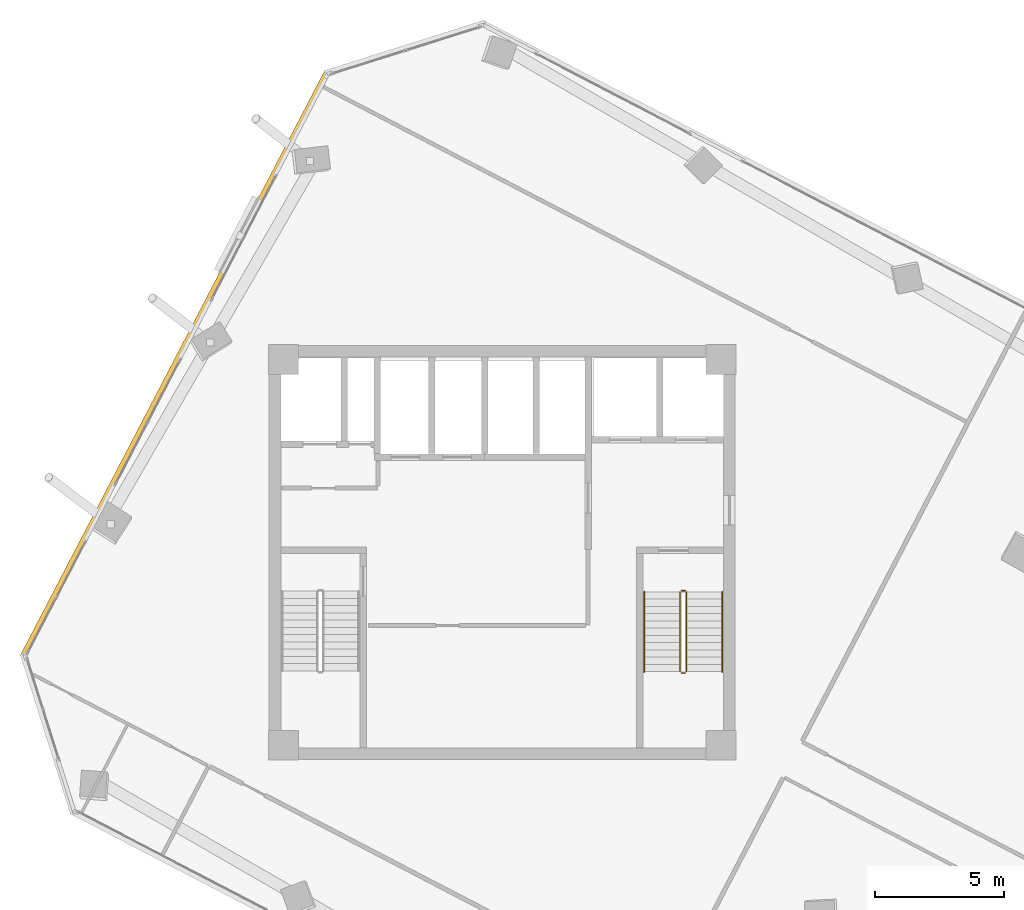
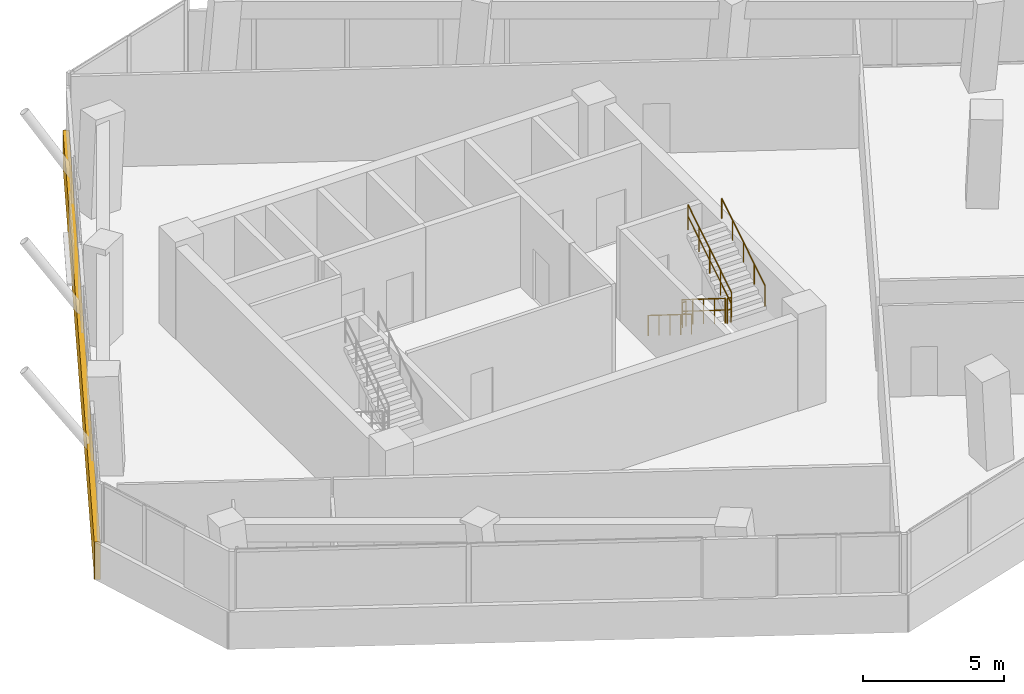
# One storey, part 20 of 22: 6 railings, 1 covering.
"""IFC4 building model written with IfcOpenShell, lengths in metres."""

from ifc_helpers import new_model, si_unit, direction, frame, origin, origin_2d, place, context, subcontext, project, spatial, rectangle, circle, extrude, source, transform, mapped, material, layer, layer_set, type_object, element, save


model = new_model("IFC4")

# Units and contexts
model_context = context("Model", 3, precision=1e-05, world=origin(), true_north=direction((0.0, 1.0)))
body_context = subcontext(model_context, "Body", "Model", "MODEL_VIEW")
ifc_project = project(units=[si_unit("LENGTHUNIT", "METRE"), si_unit("AREAUNIT", "SQUARE_METRE"), si_unit("VOLUMEUNIT", "CUBIC_METRE"), si_unit("PLANEANGLEUNIT", "RADIAN"), si_unit("MASSUNIT", "GRAM", prefix="KILO")], contexts=[model_context])

# Site, building, storey
site_placement = place(None, origin())
site = spatial("IfcSite", under=ifc_project, at=site_placement, CompositionType="ELEMENT")
building_placement = place(site_placement, origin())
building = spatial("IfcBuilding", under=site, at=building_placement, Name="Torre Montelarca", CompositionType="ELEMENT")
storey_placement = place(building_placement, frame((0.0, 0.0, 175.0)))
storey = spatial("IfcBuildingStorey", under=building, at=storey_placement, Name="L39", CompositionType="ELEMENT", Elevation=175.0)

# Railings
ifc_material_1 = material(Name="Powder-coated steel ASTM A500 Grade C", Category="steel")
railing_type_1 = type_object("IfcRailingType", Name="RL-GUARD-1100", PredefinedType="BALUSTRADE", material=ifc_material_1)
railing_1_placement = place(storey_placement, frame((24.8701171875, 30.469970703125, 0.175048828125)))
element("IfcRailing", 1, at=railing_1_placement, inside=storey, type_object=railing_type_1, Name="L39 ST2 stair guard 1", PredefinedType="BALUSTRADE", context=body_context, shape_type="SweptSolid", body=[
    extrude(circle(Radius=0.02392578125, at=origin_2d()), frame((0.0, 0.0, 1.076171875), z_axis=(0.0, -0.847998304005, 0.529998940003), x_axis=(1.0, 0.0, 0.0)), (0.0, 0.0, 1.0), 3.632080078125),
    extrude(circle(Radius=0.02099609375, at=origin_2d()), frame((0.0, 0.0, 0.572021484375), z_axis=(0.0, -0.847998304005, 0.529998940003), x_axis=(1.0, 0.0, 0.0)), (0.0, 0.0, 1.0), 3.632080078125),
    extrude(circle(Radius=0.02099609375, at=origin_2d()), origin(), (0.0, 0.0, 1.0), 1.052001953125),
    extrude(circle(Radius=0.02099609375, at=origin_2d()), frame((0.0, -0.77001953125, 0.481201171875)), (0.0, 0.0, 1.0), 1.052001953125),
    extrude(circle(Radius=0.02099609375, at=origin_2d()), frame((0.0, -1.5400390625, 0.96240234375)), (0.0, 0.0, 1.0), 1.052001953125),
    extrude(circle(Radius=0.02099609375, at=origin_2d()), frame((0.0, -2.31005859375, 1.44384765625)), (0.0, 0.0, 1.0), 1.052001953125),
    extrude(circle(Radius=0.02099609375, at=origin_2d()), frame((0.0, -3.080078125, 1.925048828125)), (0.0, 0.0, 1.0), 1.052001953125),
])
railing_2_placement = place(storey_placement, frame((24.919921875, 27.340087890625, 2.10009765625)))
element("IfcRailing", 2, at=railing_2_placement, inside=storey, type_object=railing_type_1, Name="L39 ST2 stair guard 2", PredefinedType="BALUSTRADE", context=body_context, shape_type="SweptSolid", body=[
    extrude(circle(Radius=0.02392578125, at=origin_2d()), frame((0.0, 0.0, 1.076171875), z_axis=(1.0, 0.0, 0.0), x_axis=(0.0, 1.0, 0.0)), (0.0, 0.0, 1.0), 0.150146484375),
    extrude(circle(Radius=0.02099609375, at=origin_2d()), frame((0.0, 0.0, 0.572021484375), z_axis=(1.0, 0.0, 0.0), x_axis=(0.0, 1.0, 0.0)), (0.0, 0.0, 1.0), 0.150146484375),
    extrude(circle(Radius=0.02099609375, at=origin_2d()), origin(), (0.0, 0.0, 1.0), 1.052001953125),
    extrude(circle(Radius=0.02099609375, at=origin_2d()), frame((0.150146484375, 0.0, 0.0)), (0.0, 0.0, 1.0), 1.052001953125),
])
railing_3_placement = place(storey_placement, frame((25.1201171875, 27.389892578125, 2.27490234375)))
element("IfcRailing", 3, at=railing_3_placement, inside=storey, type_object=railing_type_1, Name="L39 ST2 stair guard 3", PredefinedType="BALUSTRADE", context=body_context, shape_type="SweptSolid", body=[
    extrude(circle(Radius=0.02392578125, at=origin_2d()), frame((0.0, 0.0, 1.076171875), z_axis=(0.0, 0.847998304005, 0.529998940003), x_axis=(-1.0, 0.0, 0.0)), (0.0, 0.0, 1.0), 3.632080078125),
    extrude(circle(Radius=0.02099609375, at=origin_2d()), frame((0.0, 0.0, 0.572021484375), z_axis=(0.0, 0.847998304005, 0.529998940003), x_axis=(-1.0, 0.0, 0.0)), (0.0, 0.0, 1.0), 3.632080078125),
    extrude(circle(Radius=0.02099609375, at=origin_2d()), origin(), (0.0, 0.0, 1.0), 1.052001953125),
    extrude(circle(Radius=0.02099609375, at=origin_2d()), frame((0.0, 0.77001953125, 0.481201171875)), (0.0, 0.0, 1.0), 1.052001953125),
    extrude(circle(Radius=0.02099609375, at=origin_2d()), frame((0.0, 1.5400390625, 0.96240234375)), (0.0, 0.0, 1.0), 1.052001953125),
    extrude(circle(Radius=0.02099609375, at=origin_2d()), frame((0.0, 2.31005859375, 1.44384765625)), (0.0, 0.0, 1.0), 1.052001953125),
    extrude(circle(Radius=0.02099609375, at=origin_2d()), frame((0.0, 3.080078125, 1.925048828125)), (0.0, 0.0, 1.0), 1.052001953125),
])
railing_4_placement = place(storey_placement, frame((24.919921875, 30.52001953125, 0.0)))
element("IfcRailing", 4, at=railing_4_placement, inside=storey, type_object=railing_type_1, Name="L39 ST2 stair guard 4", PredefinedType="BALUSTRADE", context=body_context, shape_type="SweptSolid", body=[
    extrude(circle(Radius=0.02392578125, at=origin_2d()), frame((0.0, 0.0, 1.076171875), z_axis=(1.0, 0.0, 0.0), x_axis=(0.0, 1.0, 0.0)), (0.0, 0.0, 1.0), 0.150146484375),
    extrude(circle(Radius=0.02099609375, at=origin_2d()), frame((0.0, 0.0, 0.572021484375), z_axis=(1.0, 0.0, 0.0), x_axis=(0.0, 1.0, 0.0)), (0.0, 0.0, 1.0), 0.150146484375),
    extrude(circle(Radius=0.02099609375, at=origin_2d()), origin(), (0.0, 0.0, 1.0), 1.052001953125),
    extrude(circle(Radius=0.02099609375, at=origin_2d()), frame((0.150146484375, 0.0, 0.0)), (0.0, 0.0, 1.0), 1.052001953125),
])
ifc_material_2 = material(Name="Brushed stainless steel AISI 316", Category="steel")
railing_type_2 = type_object("IfcRailingType", Name="RL-HANDRAIL-900", PredefinedType="HANDRAIL", material=ifc_material_2)
railing_5_placement = place(storey_placement, frame((23.489990234375, 30.469970703125, 0.175048828125)))
element("IfcRailing", 5, at=railing_5_placement, inside=storey, type_object=railing_type_2, Name="L39 ST2 stair handrail 1", PredefinedType="HANDRAIL", context=body_context, shape_type="SweptSolid", body=[
    extrude(circle(Radius=0.02392578125, at=origin_2d()), frame((0.0, 0.0, 0.8759765625), z_axis=(0.0, -0.847998304005, 0.529998940003), x_axis=(1.0, 0.0, 0.0)), (0.0, 0.0, 1.0), 3.632080078125),
    extrude(circle(Radius=0.02099609375, at=origin_2d()), origin(), (0.0, 0.0, 1.0), 0.851806640625),
    extrude(circle(Radius=0.02099609375, at=origin_2d()), frame((0.0, -0.77001953125, 0.481201171875)), (0.0, 0.0, 1.0), 0.851806640625),
    extrude(circle(Radius=0.02099609375, at=origin_2d()), frame((0.0, -1.5400390625, 0.96240234375)), (0.0, 0.0, 1.0), 0.851806640625),
    extrude(circle(Radius=0.02099609375, at=origin_2d()), frame((0.0, -2.31005859375, 1.44384765625)), (0.0, 0.0, 1.0), 0.851806640625),
    extrude(circle(Radius=0.02099609375, at=origin_2d()), frame((0.0, -3.080078125, 1.925048828125)), (0.0, 0.0, 1.0), 0.851806640625),
])
railing_6_placement = place(storey_placement, frame((26.5, 27.389892578125, 2.27490234375)))
element("IfcRailing", 6, at=railing_6_placement, inside=storey, type_object=railing_type_2, Name="L39 ST2 stair handrail 2", PredefinedType="HANDRAIL", context=body_context, shape_type="SweptSolid", body=[
    extrude(circle(Radius=0.02392578125, at=origin_2d()), frame((0.0, 0.0, 0.8759765625), z_axis=(0.0, 0.847998304005, 0.529998940003), x_axis=(-1.0, 0.0, 0.0)), (0.0, 0.0, 1.0), 3.632080078125),
    extrude(circle(Radius=0.02099609375, at=origin_2d()), origin(), (0.0, 0.0, 1.0), 0.851806640625),
    extrude(circle(Radius=0.02099609375, at=origin_2d()), frame((0.0, 0.77001953125, 0.481201171875)), (0.0, 0.0, 1.0), 0.851806640625),
    extrude(circle(Radius=0.02099609375, at=origin_2d()), frame((0.0, 1.5400390625, 0.96240234375)), (0.0, 0.0, 1.0), 0.851806640625),
    extrude(circle(Radius=0.02099609375, at=origin_2d()), frame((0.0, 2.31005859375, 1.44384765625)), (0.0, 0.0, 1.0), 0.851806640625),
    extrude(circle(Radius=0.02099609375, at=origin_2d()), frame((0.0, 3.080078125, 1.925048828125)), (0.0, 0.0, 1.0), 0.851806640625),
])

# Covering
ifc_material_3 = material(Name="Bush-hammered warm white precast concrete C45/55", Category="concrete")
ifc_layer = layer(ifc_material_3, 0.139892578125, Name="Bush-hammered warm white precast concrete C45/55", Category="concrete")
ifc_layer_set = layer_set([ifc_layer], Name="Bush-hammered warm white precast concrete C45/55")
covering_type = type_object("IfcCoveringType", Name="COV-TRAY-CLAD", PredefinedType="CLADDING", material=ifc_layer_set)
shared_shape = source(origin(), body_context, "Body", "SweptSolid", [
    extrude(rectangle(XDim=25.52001953125, YDim=0.219970703125, at=origin_2d()), origin(), (0.0, 0.0, 1.0), 1.6201171875),
])
covering_placement = place(storey_placement, frame((5.36474609375, 39.272216796875, -0.449951171875), z_axis=(0.0, 0.0, 1.0), x_axis=(-0.461747065108, -0.88701163908, 0.0)))
element("IfcCovering", 7, at=covering_placement, inside=storey, type_object=covering_type, Name="L39 Architectural White Spandrel Tray Band TRYBOT-10", PredefinedType="CLADDING", context=body_context, shape_type="MappedRepresentation", body=[
    mapped(shared_shape, transform((0.0, 0.0, 0.0), scale=1.0)),
])

save(model, "model.ifc")
